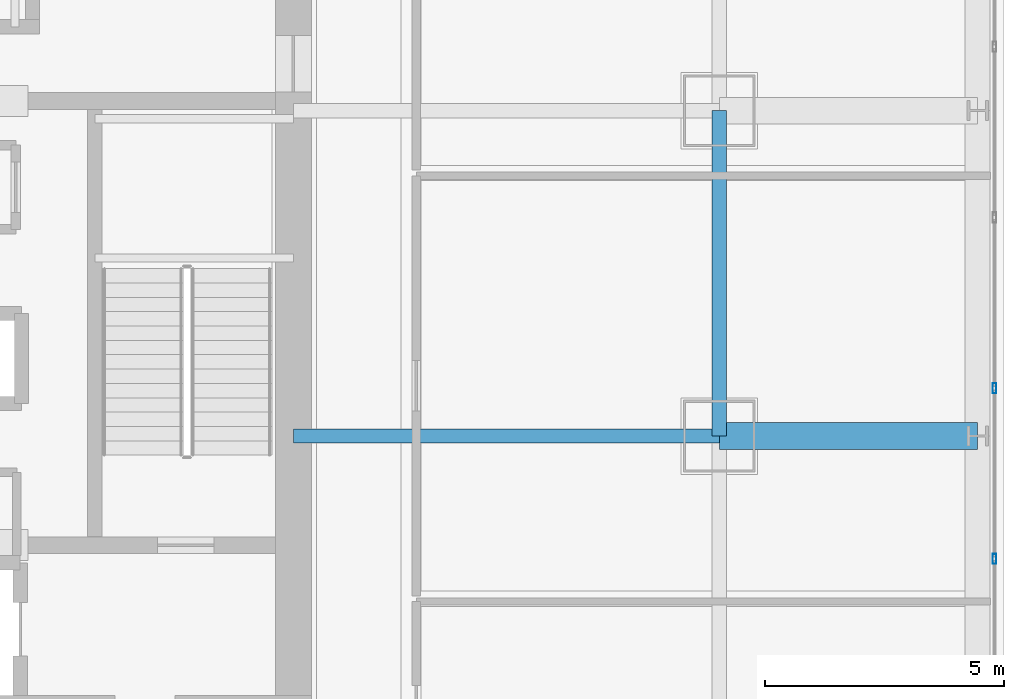
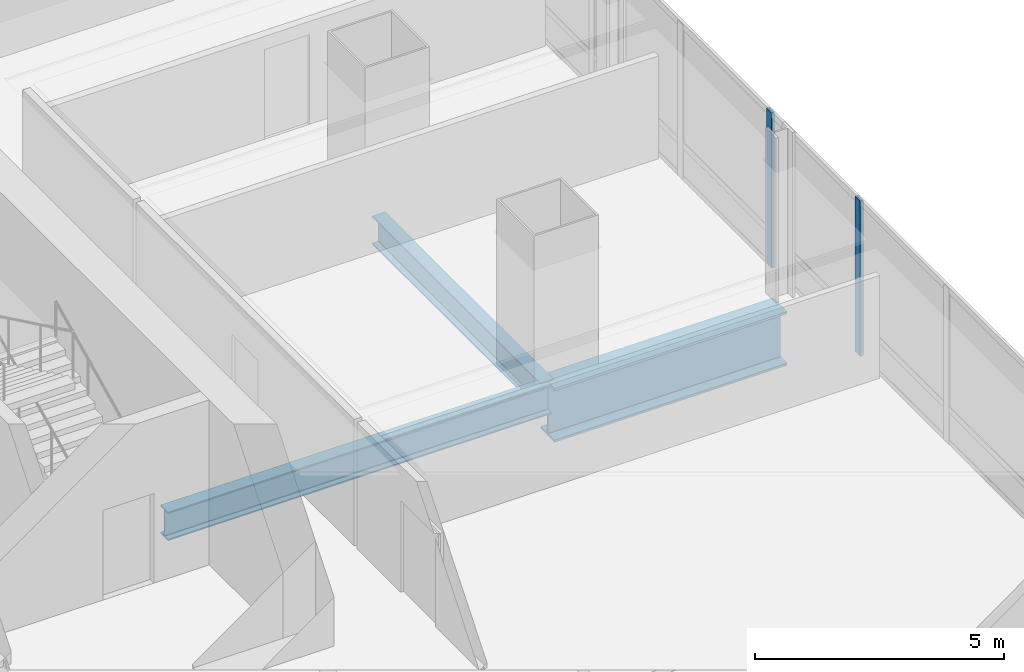
# One storey, part 15 of 35: 3 beams, 2 members, 1 element without a shape of its own.
"""IFC4 building model written with IfcOpenShell, lengths in metres."""

from ifc_helpers import new_model, si_unit, direction, frame, origin, origin_2d, place, context, subcontext, project, spatial, hollow_rectangle, i_section, extrude, material, material_profile, profile_set, type_object, element, aggregate, save


model = new_model("IFC4")

# Units and contexts
model_context = context("Model", 3, precision=1e-05, world=origin(), true_north=direction((0.0, 1.0)))
body_context = subcontext(model_context, "Body", "Model", "MODEL_VIEW")
ifc_project = project(units=[si_unit("LENGTHUNIT", "METRE"), si_unit("AREAUNIT", "SQUARE_METRE"), si_unit("VOLUMEUNIT", "CUBIC_METRE"), si_unit("PLANEANGLEUNIT", "RADIAN"), si_unit("MASSUNIT", "GRAM", prefix="KILO")], contexts=[model_context])

# Site, building, storey
site_placement = place(None, origin())
site = spatial("IfcSite", under=ifc_project, at=site_placement, CompositionType="ELEMENT")
building_placement = place(site_placement, origin())
building = spatial("IfcBuilding", under=site, at=building_placement, Name="Punatoya Terracotta Tower", CompositionType="ELEMENT")
storey_placement = place(building_placement, frame((0.0, 0.0, 68.699951171875)))
storey = spatial("IfcBuildingStorey", under=building, at=storey_placement, Name="L15", CompositionType="ELEMENT", Elevation=68.699951171875)

# Beams
ifc_material_1 = material(Name="Steel S355", Category="steel")
ifc_material_profile_1 = material_profile(ifc_material_1, i_section(OverallWidth=0.300048828125, OverallDepth=0.699951171875, WebThickness=0.01708984375, FlangeThickness=0.031982421875, FilletRadius=0.01806640625, at=origin_2d()))
ifc_profile_set_1 = profile_set([ifc_material_profile_1], Name="Steel S355")
beam_type_1 = type_object("IfcBeamType", Name="BM-PRI-700", PredefinedType="BEAM", material=ifc_profile_set_1)
beam_1_placement = place(storey_placement, frame((19.10009765625, -3.39990234375, -0.58984375), z_axis=(0.0, 1.0, 0.0), x_axis=(-1.0, 0.0, 0.0)))
element("IfcBeam", 1, at=beam_1_placement, inside=storey, type_object=beam_type_1, Name="BM-L15-RG-E2", PredefinedType="BEAM", context=body_context, shape_type="SweptSolid", body=[
    extrude(i_section(OverallWidth=0.300048828125, OverallDepth=0.699951171875, WebThickness=0.01708984375, FlangeThickness=0.031982421875, FilletRadius=0.01806640625, at=origin_2d()), origin(), (0.0, 0.0, 1.0), 6.7998046875),
])
beam_2_placement = place(storey_placement, frame((10.199951171875, -3.39990234375, -0.58984375), z_axis=(1.0, 0.0, 0.0), x_axis=(0.0, 1.0, 0.0)))
element("IfcBeam", 2, at=beam_2_placement, inside=storey, type_object=beam_type_1, Name="BM-L15-PR-ED", PredefinedType="BEAM", context=body_context, shape_type="SweptSolid", body=[
    extrude(i_section(OverallWidth=0.300048828125, OverallDepth=0.699951171875, WebThickness=0.01708984375, FlangeThickness=0.031982421875, FilletRadius=0.01806640625, at=origin_2d()), origin(), (0.0, 0.0, 1.0), 8.900146484375),
])
ifc_material_2 = material(Name="Steel S460", Category="steel")
ifc_material_profile_2 = material_profile(ifc_material_2, i_section(OverallWidth=0.56005859375, OverallDepth=1.320068359375, WebThickness=0.035888671875, FlangeThickness=0.054931640625, FilletRadius=0.01806640625, at=origin_2d()))
ifc_profile_set_2 = profile_set([ifc_material_profile_2], Name="Steel S460")
beam_type_2 = type_object("IfcBeamType", Name="BM-TG-BLK", PredefinedType="BEAM", material=ifc_profile_set_2)
beam_3_placement = place(storey_placement, frame((19.10009765625, -3.39990234375, -0.89990234375), z_axis=(1.0, 0.0, 0.0), x_axis=(0.0, 1.0, 0.0)))
element("IfcBeam", 3, at=beam_3_placement, inside=storey, type_object=beam_type_2, Name="BM-L15-CANT-E2", PredefinedType="BEAM", context=body_context, shape_type="SweptSolid", body=[
    extrude(i_section(OverallWidth=0.56005859375, OverallDepth=1.320068359375, WebThickness=0.035888671875, FlangeThickness=0.054931640625, FilletRadius=0.01806640625, at=origin_2d()), origin(), (0.0, 0.0, 1.0), 5.39990234375),
])

# Curtain wall, members
ifc_material_3 = material(Name="Aluminium 6063-T6 + Double Low-E Glass", Category="aluminium")
curtain_wall_type = type_object("IfcCurtainWallType", Name="CW-M1", PredefinedType="NOTDEFINED", material=ifc_material_3)
curtain_wall_placement = place(storey_placement, origin())
curtain_wall = element("IfcCurtainWall", 4, at=curtain_wall_placement, inside=storey, type_object=curtain_wall_type, Name="L15 Curtain Wall CW-L15-E05-1", PredefinedType="NOTDEFINED")
ifc_material_4 = material(Name="Aluminium 6063-T6", Category="aluminium")
ifc_material_profile_3 = material_profile(ifc_material_4, hollow_rectangle(XDim=0.074951171875, YDim=0.2099609375, WallThickness=0.00439453125, at=origin_2d()))
ifc_profile_set_3 = profile_set([ifc_material_profile_3], Name="Aluminium 6063-T6")
member_type = type_object("IfcMemberType", Name="CW-MUL-M1", PredefinedType="MULLION", material=ifc_profile_set_3)
member_1_placement = place(storey_placement, frame((24.85009765625, -5.96728515625, 0.0), z_axis=(0.0, 0.0, 1.0), x_axis=(1.0, 0.0, 0.0)))
member_1 = element("IfcMember", 5, at=member_1_placement, type_object=member_type, Name="CW-L15-E05-1 Mullion 04", PredefinedType="MULLION", context=body_context, shape_type="SweptSolid", body=[
    extrude(hollow_rectangle(XDim=0.074951171875, YDim=0.2099609375, WallThickness=0.00439453125, at=origin_2d()), origin(), (0.0, 0.0, 1.0), 3.81005859375),
])
member_2_placement = place(storey_placement, frame((24.85009765625, -2.39990234375, 0.0), z_axis=(0.0, 0.0, 1.0), x_axis=(1.0, 0.0, 0.0)))
member_2 = element("IfcMember", 6, at=member_2_placement, type_object=member_type, Name="CW-L15-E05-1 Mullion 05", PredefinedType="MULLION", context=body_context, shape_type="SweptSolid", body=[
    extrude(hollow_rectangle(XDim=0.074951171875, YDim=0.2099609375, WallThickness=0.00439453125, at=origin_2d()), origin(), (0.0, 0.0, 1.0), 3.81005859375),
])
aggregate(curtain_wall, [member_1, member_2])

save(model, "model.ifc")
